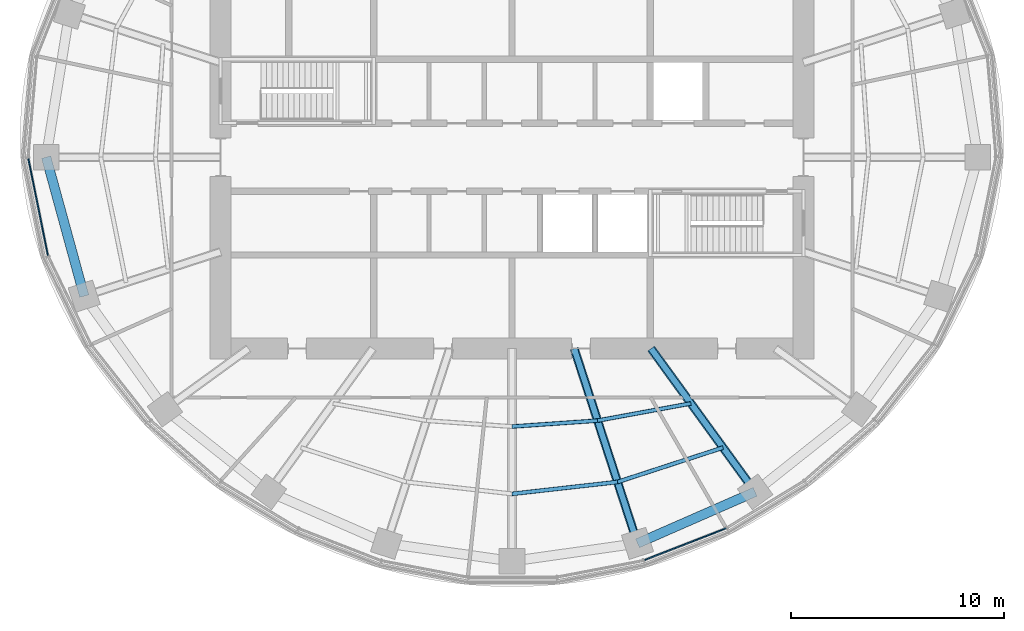
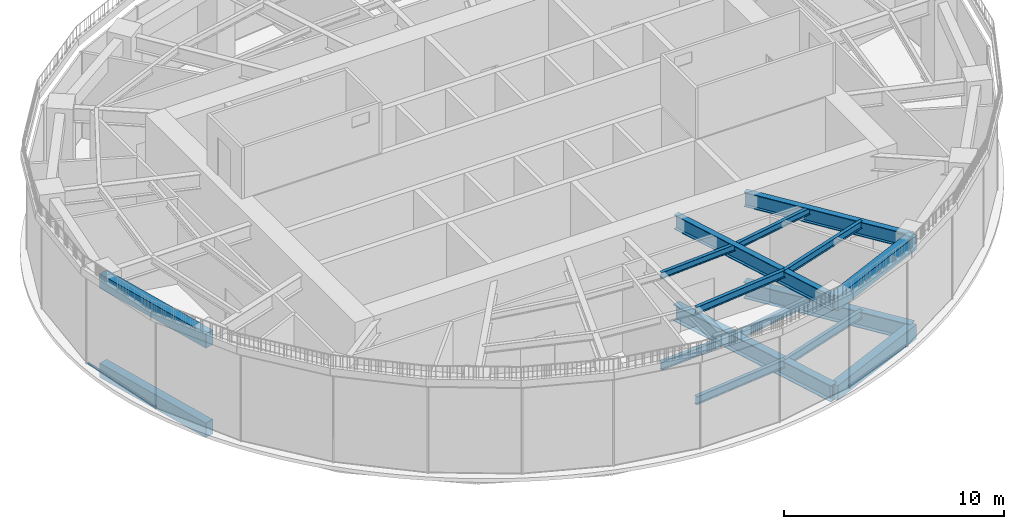
# One storey, part 3 of 19: 16 beams, 2 members, 2 elements without a shape of their own.
"""IFC4 building model written with IfcOpenShell, lengths in metres."""

from ifc_helpers import new_model, si_unit, direction, frame, origin, origin_2d, place, context, subcontext, project, spatial, rectangle, i_section, extrude, material, material_profile, profile_set, type_object, element, aggregate, save


model = new_model("IFC4")

# Units and contexts
model_context = context("Model", 3, precision=1e-05, world=origin(), true_north=direction((0.0, 1.0)))
body_context = subcontext(model_context, "Body", "Model", "MODEL_VIEW")
ifc_project = project(units=[si_unit("LENGTHUNIT", "METRE"), si_unit("AREAUNIT", "SQUARE_METRE"), si_unit("VOLUMEUNIT", "CUBIC_METRE"), si_unit("PLANEANGLEUNIT", "RADIAN"), si_unit("MASSUNIT", "GRAM", prefix="KILO")], contexts=[model_context])

# Site, building, storey
site_placement = place(None, origin())
site = spatial("IfcSite", under=ifc_project, at=site_placement, CompositionType="ELEMENT")
building_placement = place(site_placement, origin())
building = spatial("IfcBuilding", under=site, at=building_placement, Name="Marramba Exchange Tower", CompositionType="ELEMENT")
storey_placement = place(building_placement, frame((0.0, 0.0, 277.0)))
storey = spatial("IfcBuildingStorey", under=building, at=storey_placement, Name="L67", CompositionType="ELEMENT", Elevation=277.0)

# Beams
ifc_material_1 = material(Name="Steel AS/NZS 3679.1 grade 300", Category="steel")
ifc_material_profile_1 = material_profile(ifc_material_1, i_section(OverallWidth=0.1708984375, OverallDepth=0.35595703125, WebThickness=0.00732421875, FlangeThickness=0.011474609375, FilletRadius=0.011474609375, at=origin_2d()), Name="360UB50.7")
ifc_profile_set_1 = profile_set([ifc_material_profile_1], Name="Steel AS/NZS 3679.1 grade 300")
beam_type_1 = type_object("IfcBeamType", Name="Floor joist 360UB50.7", PredefinedType="JOIST", material=ifc_profile_set_1)
beam_1_placement = place(storey_placement, frame((0.0, -12.665283203125, 4.572021484375), z_axis=(0.99759625901, 0.069294328838, 0.0), x_axis=(-0.069294328838, 0.99759625901, 0.0)))
element("IfcBeam", 1, at=beam_1_placement, inside=storey, type_object=beam_type_1, Name="Joist RF bay 16 row 1", PredefinedType="JOIST", context=body_context, shape_type="SweptSolid", body=[
    extrude(i_section(OverallWidth=0.1708984375, OverallDepth=0.35595703125, WebThickness=0.00732421875, FlangeThickness=0.011474609375, FilletRadius=0.011474609375, at=origin_2d()), origin(), (0.0, 0.0, 1.0), 4.0341796875),
])
beam_2_placement = place(storey_placement, frame((4.0244140625, -12.3857421875, 4.572021484375), z_axis=(0.983455754421, 0.181148500119, 0.0), x_axis=(-0.181148500119, 0.983455754421, 0.0)))
element("IfcBeam", 2, at=beam_2_placement, inside=storey, type_object=beam_type_1, Name="Joist RF bay 17 row 1", PredefinedType="JOIST", context=body_context, shape_type="SweptSolid", body=[
    extrude(i_section(OverallWidth=0.1708984375, OverallDepth=0.35595703125, WebThickness=0.00732421875, FlangeThickness=0.011474609375, FilletRadius=0.011474609375, at=origin_2d()), origin(), (0.0, 0.0, 1.0), 4.4609375),
])
ifc_material_profile_2 = material_profile(ifc_material_1, i_section(OverallWidth=0.177978515625, OverallDepth=0.403076171875, WebThickness=0.007568359375, FlangeThickness=0.010986328125, FilletRadius=0.011474609375, at=origin_2d()), Name="410UB53.7")
ifc_profile_set_2 = profile_set([ifc_material_profile_2], Name="Steel AS/NZS 3679.1 grade 300")
beam_type_2 = type_object("IfcBeamType", Name="Floor joist 410UB53.7", PredefinedType="JOIST", material=ifc_profile_set_2)
beam_3_placement = place(storey_placement, frame((0.0, -15.83056640625, 4.548583984375), z_axis=(0.993712018573, 0.111966174106, 0.0), x_axis=(-0.111966174106, 0.993712018573, 0.0)))
element("IfcBeam", 3, at=beam_3_placement, inside=storey, type_object=beam_type_2, Name="Joist RF bay 16 row 2", PredefinedType="JOIST", context=body_context, shape_type="SweptSolid", body=[
    extrude(i_section(OverallWidth=0.177978515625, OverallDepth=0.403076171875, WebThickness=0.007568359375, FlangeThickness=0.010986328125, FilletRadius=0.011474609375, at=origin_2d()), origin(), (0.0, 0.0, 1.0), 4.993408203125),
])
beam_4_placement = place(storey_placement, frame((4.9619140625, -15.271484375, 4.548583984375), z_axis=(0.950764024931, 0.309915744834, 0.0), x_axis=(-0.309915744834, 0.950764024931, 0.0)))
element("IfcBeam", 4, at=beam_4_placement, inside=storey, type_object=beam_type_2, Name="Joist RF bay 17 row 2", PredefinedType="JOIST", context=body_context, shape_type="SweptSolid", body=[
    extrude(i_section(OverallWidth=0.177978515625, OverallDepth=0.403076171875, WebThickness=0.007568359375, FlangeThickness=0.010986328125, FilletRadius=0.011474609375, at=origin_2d()), origin(), (0.0, 0.0, 1.0), 5.2158203125),
])
ifc_material_profile_3 = material_profile(ifc_material_1, i_section(OverallWidth=0.18994140625, OverallDepth=0.4541015625, WebThickness=0.008544921875, FlangeThickness=0.0126953125, FilletRadius=0.011474609375, at=origin_2d()), Name="460UB67.1")
ifc_profile_set_3 = profile_set([ifc_material_profile_3], Name="Steel AS/NZS 3679.1 grade 300")
beam_type_3 = type_object("IfcBeamType", Name="Floor joist 460UB67.1", PredefinedType="JOIST", material=ifc_profile_set_3)
beam_5_placement = place(storey_placement, frame((0.0, -12.665283203125, -0.427001953125), z_axis=(0.99759625901, 0.069294328838, 0.0), x_axis=(-0.069294328838, 0.99759625901, 0.0)))
element("IfcBeam", 5, at=beam_5_placement, inside=storey, type_object=beam_type_3, Name="Joist L67 bay 16 row 1", PredefinedType="JOIST", context=body_context, shape_type="SweptSolid", body=[
    extrude(i_section(OverallWidth=0.18994140625, OverallDepth=0.4541015625, WebThickness=0.008544921875, FlangeThickness=0.0126953125, FilletRadius=0.011474609375, at=origin_2d()), origin(), (0.0, 0.0, 1.0), 4.0341796875),
])
beam_6_placement = place(storey_placement, frame((0.0, -15.83056640625, -0.427001953125), z_axis=(0.993712018573, 0.111966174106, 0.0), x_axis=(-0.111966174106, 0.993712018573, 0.0)))
element("IfcBeam", 6, at=beam_6_placement, inside=storey, type_object=beam_type_3, Name="Joist L67 bay 16 row 2", PredefinedType="JOIST", context=body_context, shape_type="SweptSolid", body=[
    extrude(i_section(OverallWidth=0.18994140625, OverallDepth=0.4541015625, WebThickness=0.008544921875, FlangeThickness=0.0126953125, FilletRadius=0.011474609375, at=origin_2d()), origin(), (0.0, 0.0, 1.0), 4.993408203125),
])
beam_7_placement = place(storey_placement, frame((4.0244140625, -12.3857421875, -0.427001953125), z_axis=(0.983455754421, 0.181148500119, 0.0), x_axis=(-0.181148500119, 0.983455754421, 0.0)))
element("IfcBeam", 7, at=beam_7_placement, inside=storey, type_object=beam_type_3, Name="Joist L67 bay 17 row 1", PredefinedType="JOIST", context=body_context, shape_type="SweptSolid", body=[
    extrude(i_section(OverallWidth=0.18994140625, OverallDepth=0.4541015625, WebThickness=0.008544921875, FlangeThickness=0.0126953125, FilletRadius=0.011474609375, at=origin_2d()), origin(), (0.0, 0.0, 1.0), 4.4609375),
])
beam_8_placement = place(storey_placement, frame((4.9619140625, -15.271484375, -0.427001953125), z_axis=(0.950764024931, 0.309915744834, 0.0), x_axis=(-0.309915744834, 0.950764024931, 0.0)))
element("IfcBeam", 8, at=beam_8_placement, inside=storey, type_object=beam_type_3, Name="Joist L67 bay 17 row 2", PredefinedType="JOIST", context=body_context, shape_type="SweptSolid", body=[
    extrude(i_section(OverallWidth=0.18994140625, OverallDepth=0.4541015625, WebThickness=0.008544921875, FlangeThickness=0.0126953125, FilletRadius=0.011474609375, at=origin_2d()), origin(), (0.0, 0.0, 1.0), 5.2158203125),
])

# Curtain wall, member
ifc_material_2 = material(Name="Aluminium framing, bronze anodised", Category="aluminium")
curtain_wall_type = type_object("IfcCurtainWallType", Name="Plant floor louvred curtain wall", PredefinedType="USERDEFINED", material=ifc_material_2)
curtain_wall_1_placement = place(storey_placement, origin())
curtain_wall_1 = element("IfcCurtainWall", 9, at=curtain_wall_1_placement, inside=storey, type_object=curtain_wall_type, Name="Curtain wall CW6 L67 F16-F20", ObjectType="RIBBON CURTAIN WALL", PredefinedType="USERDEFINED")
ifc_material_3 = material(Name="Aluminium transom, bronze anodised", Category="aluminium")
ifc_material_profile_4 = material_profile(ifc_material_3, rectangle(XDim=0.06005859375, YDim=0.1201171875, at=origin_2d()), Name="CW6 transom 60x120")
ifc_profile_set_4 = profile_set([ifc_material_profile_4], Name="Aluminium transom, bronze anodised")
member_type = type_object("IfcMemberType", Name="Plant floor louvred curtain wall transom", PredefinedType="USERDEFINED", material=ifc_profile_set_4)
member_1_placement = place(storey_placement, frame((-22.738037109375, -0.058837890625, 0.030029296875), z_axis=(0.197654002556, -0.980271847639, 0.0), x_axis=(0.980271847639, 0.197654002556, 0.0)))
member_1 = element("IfcMember", 10, at=member_1_placement, type_object=member_type, Name="CW6 sill transom", ObjectType="TRANSOM", PredefinedType="USERDEFINED", context=body_context, shape_type="SweptSolid", body=[
    extrude(rectangle(XDim=0.06005859375, YDim=0.1201171875, at=origin_2d()), origin(), (0.0, 0.0, 1.0), 4.670166015625),
])
aggregate(curtain_wall_1, [member_1])

curtain_wall_2_placement = place(storey_placement, origin())
curtain_wall_2 = element("IfcCurtainWall", 11, at=curtain_wall_2_placement, inside=storey, type_object=curtain_wall_type, Name="Curtain wall CW6 L67 F21-F25", ObjectType="RIBBON CURTAIN WALL", PredefinedType="USERDEFINED")
member_2_placement = place(storey_placement, frame((6.21826171875, -18.943603515625, 0.030029296875), z_axis=(0.931790621773, 0.362996194438, 0.0), x_axis=(-0.362996194438, 0.931790621773, 0.0)))
member_2 = element("IfcMember", 12, at=member_2_placement, type_object=member_type, Name="CW6 sill transom", ObjectType="TRANSOM", PredefinedType="USERDEFINED", context=body_context, shape_type="SweptSolid", body=[
    extrude(rectangle(XDim=0.06005859375, YDim=0.1201171875, at=origin_2d()), origin(), (0.0, 0.0, 1.0), 4.13427734375),
])
aggregate(curtain_wall_2, [member_2])

# Beams
ifc_material_4 = material(Name="Steel AS/NZS 3679.2 grade 300", Category="steel")
ifc_material_profile_5 = material_profile(ifc_material_4, i_section(OverallWidth=0.300048828125, OverallDepth=0.800048828125, WebThickness=0.013916015625, FlangeThickness=0.031982421875, at=origin_2d()), Name="800WB192")
ifc_profile_set_5 = profile_set([ifc_material_profile_5], Name="Steel AS/NZS 3679.2 grade 300")
beam_type_4 = type_object("IfcBeamType", Name="Radial girder 800WB192", PredefinedType="BEAM", material=ifc_profile_set_5)
beam_9_placement = place(storey_placement, frame((2.92431640625, -9.0, 4.35009765625), z_axis=(0.309022428985, -0.951054750466, 0.0), x_axis=(0.951054750466, 0.309022428985, 0.0)))
element("IfcBeam", 13, at=beam_9_placement, inside=storey, type_object=beam_type_4, Name="Radial girder RF TC17", PredefinedType="BEAM", context=body_context, shape_type="SweptSolid", body=[
    extrude(i_section(OverallWidth=0.300048828125, OverallDepth=0.800048828125, WebThickness=0.013916015625, FlangeThickness=0.031982421875, at=origin_2d()), origin(), (0.0, 0.0, 1.0), 9.628173828125),
])
beam_10_placement = place(storey_placement, frame((6.538818359375, -9.0, 4.35009765625), z_axis=(0.587787877172, -0.809015087282, 0.0), x_axis=(0.809015087282, 0.587787877172, 0.0)))
element("IfcBeam", 14, at=beam_10_placement, inside=storey, type_object=beam_type_4, Name="Radial girder RF TC18", PredefinedType="BEAM", context=body_context, shape_type="SweptSolid", body=[
    extrude(i_section(OverallWidth=0.300048828125, OverallDepth=0.800048828125, WebThickness=0.013916015625, FlangeThickness=0.031982421875, at=origin_2d()), origin(), (0.0, 0.0, 1.0), 8.322021484375),
])
ifc_material_profile_6 = material_profile(ifc_material_4, i_section(OverallWidth=0.39990234375, OverallDepth=0.89990234375, WebThickness=0.01611328125, FlangeThickness=0.031982421875, at=origin_2d()), Name="900WB282")
ifc_profile_set_6 = profile_set([ifc_material_profile_6], Name="Steel AS/NZS 3679.2 grade 300")
beam_type_5 = type_object("IfcBeamType", Name="Radial girder 900WB282", PredefinedType="BEAM", material=ifc_profile_set_6)
beam_11_placement = place(storey_placement, frame((2.92431640625, -9.0, -0.64990234375), z_axis=(0.309022428985, -0.951054750466, 0.0), x_axis=(0.951054750466, 0.309022428985, 0.0)))
element("IfcBeam", 15, at=beam_11_placement, inside=storey, type_object=beam_type_5, Name="Radial girder L67 TC17", PredefinedType="BEAM", context=body_context, shape_type="SweptSolid", body=[
    extrude(i_section(OverallWidth=0.39990234375, OverallDepth=0.89990234375, WebThickness=0.01611328125, FlangeThickness=0.031982421875, at=origin_2d()), origin(), (0.0, 0.0, 1.0), 9.628173828125),
])
beam_12_placement = place(storey_placement, frame((6.538818359375, -9.0, -0.64990234375), z_axis=(0.587787877172, -0.809015087282, 0.0), x_axis=(0.809015087282, 0.587787877172, 0.0)))
element("IfcBeam", 16, at=beam_12_placement, inside=storey, type_object=beam_type_5, Name="Radial girder L67 TC18", PredefinedType="BEAM", context=body_context, shape_type="SweptSolid", body=[
    extrude(i_section(OverallWidth=0.39990234375, OverallDepth=0.89990234375, WebThickness=0.01611328125, FlangeThickness=0.031982421875, at=origin_2d()), origin(), (0.0, 0.0, 1.0), 8.322021484375),
])
ifc_material_5 = material(Name="Concrete N50", Category="concrete")
ifc_material_profile_7 = material_profile(ifc_material_5, rectangle(XDim=0.449951171875, YDim=0.800048828125, at=origin_2d()), Name="RC 450x800")
ifc_profile_set_7 = profile_set([ifc_material_profile_7], Name="Concrete N50")
beam_type_6 = type_object("IfcBeamType", Name="Ring beam RC 450x800 N50", PredefinedType="SPANDREL", material=ifc_profile_set_7)
beam_13_placement = place(storey_placement, frame((-21.89990234375, 0.0, -0.60009765625), z_axis=(0.264291166956, -0.964442937176, 0.0), x_axis=(0.964442937176, 0.264291166956, 0.0)))
element("IfcBeam", 17, at=beam_13_placement, inside=storey, type_object=beam_type_6, Name="Ring beam L67 TC11-TC12", PredefinedType="SPANDREL", context=body_context, shape_type="SweptSolid", body=[
    extrude(rectangle(XDim=0.449951171875, YDim=0.800048828125, at=origin_2d()), origin(), (0.0, 0.0, 1.0), 6.77490234375),
])
beam_14_placement = place(storey_placement, frame((5.899658203125, -18.156982421875, -0.60009765625), z_axis=(0.915876892158, 0.4014592363, 0.0), x_axis=(-0.4014592363, 0.915876892158, 0.0)))
element("IfcBeam", 18, at=beam_14_placement, inside=storey, type_object=beam_type_6, Name="Ring beam L67 TC17-TC18", PredefinedType="SPANDREL", context=body_context, shape_type="SweptSolid", body=[
    extrude(rectangle(XDim=0.449951171875, YDim=0.800048828125, at=origin_2d()), origin(), (0.0, 0.0, 1.0), 6.038818359375),
])
beam_15_placement = place(storey_placement, frame((-21.89990234375, 0.0, 4.35009765625), z_axis=(0.264291166956, -0.964442937176, 0.0), x_axis=(0.964442937176, 0.264291166956, 0.0)))
element("IfcBeam", 19, at=beam_15_placement, inside=storey, type_object=beam_type_6, Name="Ring beam RF TC11-TC12", PredefinedType="SPANDREL", context=body_context, shape_type="SweptSolid", body=[
    extrude(rectangle(XDim=0.449951171875, YDim=0.800048828125, at=origin_2d()), origin(), (0.0, 0.0, 1.0), 6.77490234375),
])
beam_16_placement = place(storey_placement, frame((5.899658203125, -18.156982421875, 4.35009765625), z_axis=(0.915876892158, 0.4014592363, 0.0), x_axis=(-0.4014592363, 0.915876892158, 0.0)))
element("IfcBeam", 20, at=beam_16_placement, inside=storey, type_object=beam_type_6, Name="Ring beam RF TC17-TC18", PredefinedType="SPANDREL", context=body_context, shape_type="SweptSolid", body=[
    extrude(rectangle(XDim=0.449951171875, YDim=0.800048828125, at=origin_2d()), origin(), (0.0, 0.0, 1.0), 6.038818359375),
])

save(model, "model.ifc")
